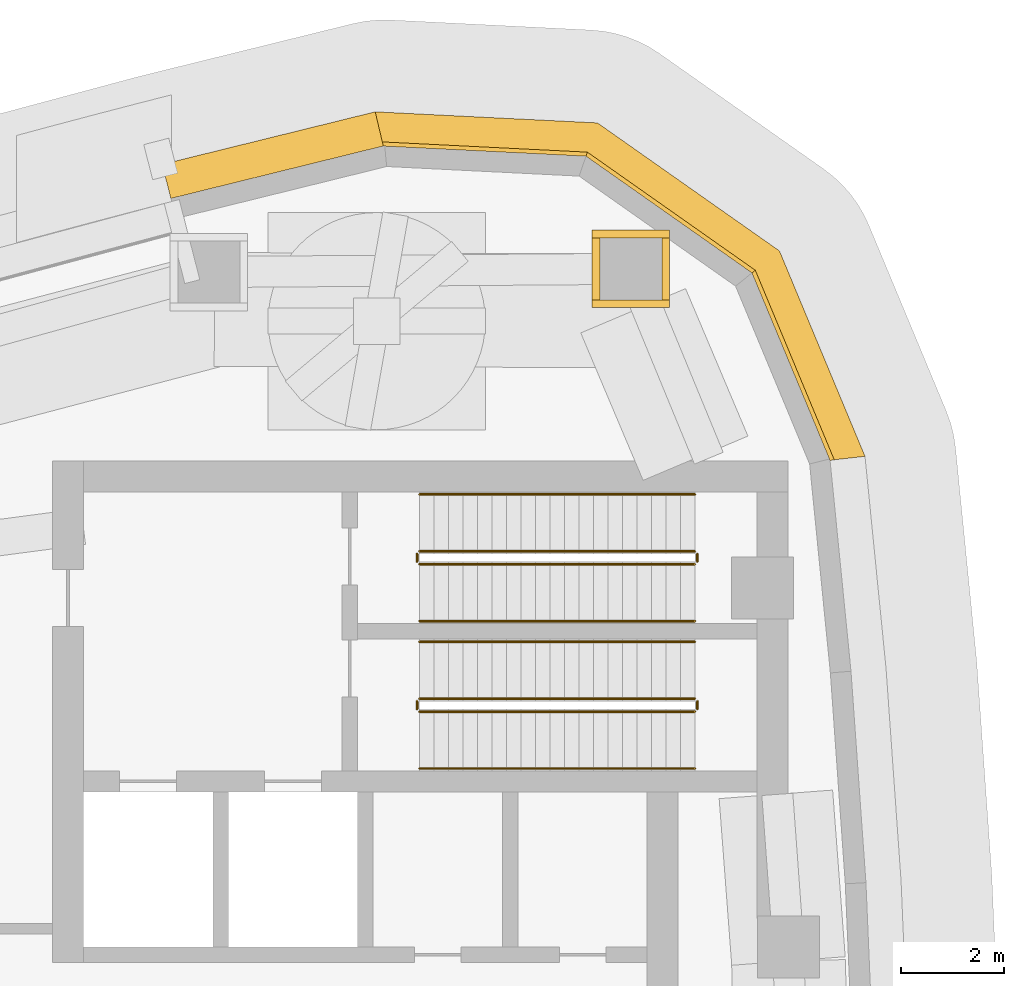
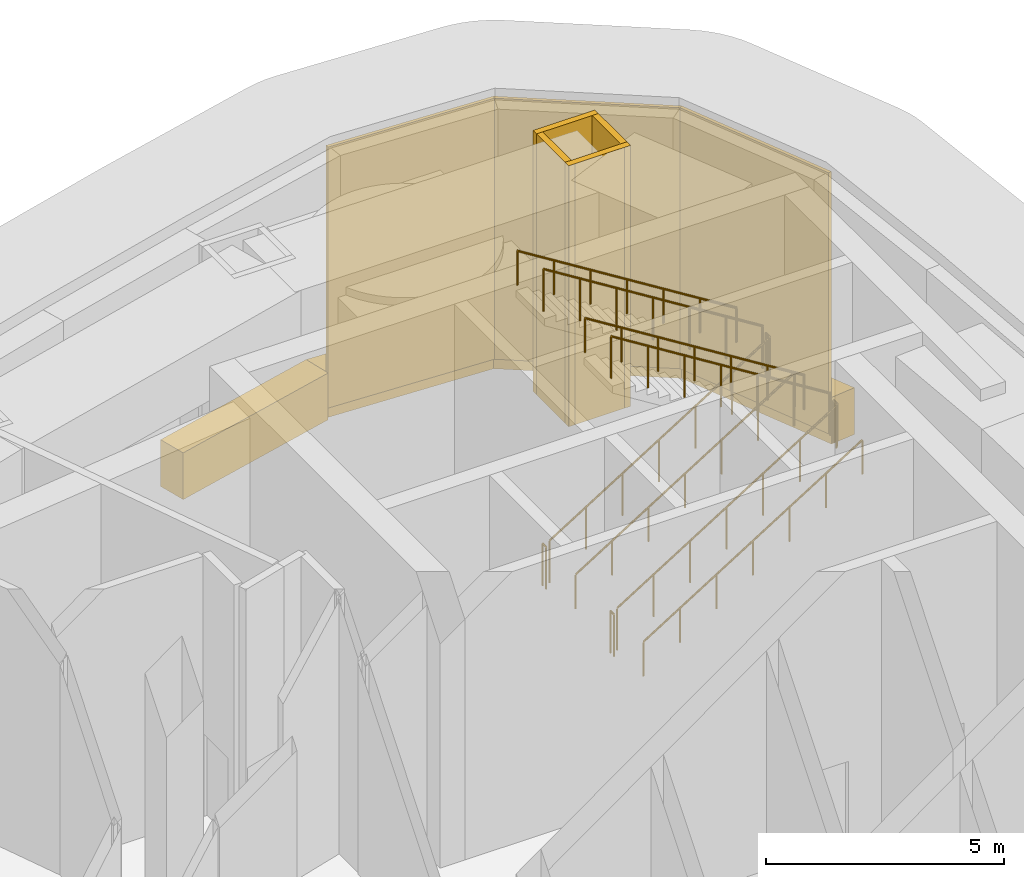
# One storey, part 11 of 12: 12 railings, 9 coverings.
"""IFC4 building model written with IfcOpenShell, lengths in metres."""

from ifc_helpers import new_model, si_unit, direction, frame, frame_2d, origin, origin_2d, place, context, subcontext, project, spatial, polyline, rectangle, circle, outline, extrude, material, layer, layer_set, type_object, element, save


model = new_model("IFC4")

# Units and contexts
model_context = context("Model", 3, precision=1e-05, world=origin(), true_north=direction((0.0, 1.0)))
body_context = subcontext(model_context, "Body", "Model", "MODEL_VIEW")
ifc_project = project(units=[si_unit("LENGTHUNIT", "METRE"), si_unit("AREAUNIT", "SQUARE_METRE"), si_unit("VOLUMEUNIT", "CUBIC_METRE"), si_unit("PLANEANGLEUNIT", "RADIAN"), si_unit("MASSUNIT", "GRAM", prefix="KILO")], contexts=[model_context])

# Site, building, storey
site_placement = place(None, origin())
site = spatial("IfcSite", under=ifc_project, at=site_placement, CompositionType="ELEMENT")
building_placement = place(site_placement, origin())
building = spatial("IfcBuilding", under=site, at=building_placement, Name="Ostrand Prow Hotel Tower", CompositionType="ELEMENT")
storey_placement = place(building_placement, frame((0.0, 0.0, 256.300048828125)))
storey = spatial("IfcBuildingStorey", under=building, at=storey_placement, Name="L65", CompositionType="ELEMENT", Elevation=256.300048828125)

# Coverings
ifc_material_1 = material(Name="Bronze anodised aluminium cladding", Category="aluminium")
ifc_layer_1 = layer(ifc_material_1, 0.60009765625)
ifc_layer_set_1 = layer_set([ifc_layer_1], Name="Bronze anodised aluminium cladding")
covering_type_1 = type_object("IfcCoveringType", Name="Bronze spandrel band 1200x600", PredefinedType="CLADDING", material=ifc_layer_set_1)
covering_1_placement = place(storey_placement, frame((0.0, 0.0, -0.300048828125)))
element("IfcCovering", 1, at=covering_1_placement, inside=storey, type_object=covering_type_1, Name="Spandrel band back 4", PredefinedType="CLADDING", context=body_context, shape_type="SweptSolid", body=[
    extrude(outline(polyline([(65.81201171875, 16.4365234375), (64.15771484375, 20.408447265625), (60.638671875, 22.8837890625), (56.34130859375, 23.09814453125), (56.47900390625, 22.51416015625), (60.443359375, 22.316650390625), (63.689697265625, 20.032958984375), (65.2158203125, 16.368896484375), (65.81201171875, 16.4365234375)])), origin(), (0.0, 0.0, 1.0), 1.199951171875),
])
covering_2_placement = place(storey_placement, frame((0.0, 0.0, -0.300048828125)))
element("IfcCovering", 2, at=covering_2_placement, inside=storey, type_object=covering_type_1, Name="Spandrel band back 5", PredefinedType="CLADDING", context=body_context, shape_type="SweptSolid", body=[
    extrude(outline(polyline([(56.34130859375, 23.09814453125), (52.22119140625, 22.081787109375), (52.390869140625, 21.42333984375), (56.49755859375, 22.436279296875), (56.34130859375, 23.09814453125)])), origin(), (0.0, 0.0, 1.0), 1.199951171875),
])
ifc_material_2 = material(Name="Limestone cladding", Category="masonry")
ifc_layer_2 = layer(ifc_material_2, 0.60009765625)
ifc_layer_set_2 = layer_set([ifc_layer_2], Name="Limestone cladding")
covering_type_2 = type_object("IfcCoveringType", Name="Slot reveal limestone cladding 600 mm", PredefinedType="CLADDING", material=ifc_layer_set_2)
for number, where, z_axis, x_axis, name in (
    (3, (60.533935546875, 19.38720703125, 0.0), (0.0, 0.0, 1.0), (1.0, 0.0, 0.0), "Slot column sleeve MC-NE 1"),
    (4, (61.958984375, 19.31201171875, 0.0), (0.0, 0.0, 1.0), (0.0, 1.0, 0.0), "Slot column sleeve MC-NE 2"),
    (5, (62.033935546875, 20.737060546875, 0.0), (0.0, 0.0, 1.0), (-1.0, 0.0, 0.0), "Slot column sleeve MC-NE 3"),
    (6, (60.60888671875, 20.81201171875, 0.0), (0.0, 0.0, 1.0), (0.0, -1.0, 0.0), "Slot column sleeve MC-NE 4"),
):
    element("IfcCovering", number, at=place(storey_placement, frame(where, z_axis=z_axis, x_axis=x_axis)), inside=storey, type_object=covering_type_2, Name=name, PredefinedType="CLADDING", context=body_context, shape_type="SweptSolid", body=[
        extrude(rectangle(XDim=1.5, YDim=0.14990234375, at=frame_2d((0.75, 0.0))), origin(), (0.0, 0.0, 1.0), 6.699951171875),
    ])

# Railings
ifc_material_3 = material(Name="Painted steel", Category="steel")
railing_type_1 = type_object("IfcRailingType", Name="Stair guard 1100", PredefinedType="GUARDRAIL", material=ifc_material_3)
railing_1_placement = place(storey_placement, frame((57.199951171875, 11.5, 0.175048828125)))
element("IfcRailing", 7, at=railing_1_placement, inside=storey, type_object=railing_type_1, Name="L65 ST1C stair guard 1", PredefinedType="GUARDRAIL", context=body_context, shape_type="SweptSolid", body=[
    extrude(circle(Radius=0.02392578125, at=origin_2d()), frame((0.0, 0.0, 1.076171875), z_axis=(0.848004862711, 0.0, 0.52998844593), x_axis=(0.0, 1.0, 0.0)), (0.0, 0.0, 1.0), 6.273681640625),
    extrude(circle(Radius=0.02099609375, at=origin_2d()), origin(), (0.0, 0.0, 1.0), 1.052001953125),
    extrude(circle(Radius=0.02099609375, at=origin_2d()), frame((0.88671875, 0.0, 0.55419921875)), (0.0, 0.0, 1.0), 1.052001953125),
    extrude(circle(Radius=0.02099609375, at=origin_2d()), frame((1.7734375, 0.0, 1.1083984375)), (0.0, 0.0, 1.0), 1.052001953125),
    extrude(circle(Radius=0.02099609375, at=origin_2d()), frame((2.66015625, 0.0, 1.66259765625)), (0.0, 0.0, 1.0), 1.052001953125),
    extrude(circle(Radius=0.02099609375, at=origin_2d()), frame((3.546630859375, 0.0, 2.216552734375)), (0.0, 0.0, 1.0), 1.052001953125),
    extrude(circle(Radius=0.02099609375, at=origin_2d()), frame((4.433349609375, 0.0, 2.770751953125)), (0.0, 0.0, 1.0), 1.052001953125),
    extrude(circle(Radius=0.02099609375, at=origin_2d()), frame((5.320068359375, 0.0, 3.324951171875)), (0.0, 0.0, 1.0), 1.052001953125),
])
railing_2_placement = place(storey_placement, frame((62.570068359375, 11.550048828125, 3.5)))
element("IfcRailing", 8, at=railing_2_placement, inside=storey, type_object=railing_type_1, Name="L65 ST1C stair guard 2", PredefinedType="GUARDRAIL", context=body_context, shape_type="SweptSolid", body=[
    extrude(circle(Radius=0.02392578125, at=origin_2d()), frame((0.0, 0.0, 1.076171875), z_axis=(0.0, 1.0, 0.0), x_axis=(-1.0, 0.0, 0.0)), (0.0, 0.0, 1.0), 0.14990234375),
    extrude(circle(Radius=0.02099609375, at=origin_2d()), origin(), (0.0, 0.0, 1.0), 1.052001953125),
    extrude(circle(Radius=0.02099609375, at=origin_2d()), frame((0.0, 0.14990234375, 0.0)), (0.0, 0.0, 1.0), 1.052001953125),
])
railing_3_placement = place(storey_placement, frame((62.52001953125, 11.75, 3.675048828125)))
element("IfcRailing", 9, at=railing_3_placement, inside=storey, type_object=railing_type_1, Name="L65 ST1C stair guard 3", PredefinedType="GUARDRAIL", context=body_context, shape_type="SweptSolid", body=[
    extrude(circle(Radius=0.02392578125, at=origin_2d()), frame((0.0, 0.0, 1.076171875), z_axis=(-0.848004862711, 0.0, 0.52998844593), x_axis=(0.0, -1.0, 0.0)), (0.0, 0.0, 1.0), 6.273681640625),
    extrude(circle(Radius=0.02099609375, at=origin_2d()), origin(), (0.0, 0.0, 1.0), 1.052001953125),
    extrude(circle(Radius=0.02099609375, at=origin_2d()), frame((-0.88671875, 0.0, 0.55419921875)), (0.0, 0.0, 1.0), 1.052001953125),
    extrude(circle(Radius=0.02099609375, at=origin_2d()), frame((-1.7734375, 0.0, 1.1083984375)), (0.0, 0.0, 1.0), 1.052001953125),
    extrude(circle(Radius=0.02099609375, at=origin_2d()), frame((-2.66015625, 0.0, 1.66259765625)), (0.0, 0.0, 1.0), 1.052001953125),
    extrude(circle(Radius=0.02099609375, at=origin_2d()), frame((-3.546630859375, 0.0, 2.216552734375)), (0.0, 0.0, 1.0), 1.052001953125),
    extrude(circle(Radius=0.02099609375, at=origin_2d()), frame((-4.433349609375, 0.0, 2.770751953125)), (0.0, 0.0, 1.0), 1.052001953125),
    extrude(circle(Radius=0.02099609375, at=origin_2d()), frame((-5.320068359375, 0.0, 3.324951171875)), (0.0, 0.0, 1.0), 1.052001953125),
])
railing_4_placement = place(storey_placement, frame((57.14990234375, 11.550048828125, 0.0)))
element("IfcRailing", 10, at=railing_4_placement, inside=storey, type_object=railing_type_1, Name="L65 ST1C stair guard 4", PredefinedType="GUARDRAIL", context=body_context, shape_type="SweptSolid", body=[
    extrude(circle(Radius=0.02392578125, at=origin_2d()), frame((0.0, 0.0, 1.076171875), z_axis=(0.0, 1.0, 0.0), x_axis=(-1.0, 0.0, 0.0)), (0.0, 0.0, 1.0), 0.14990234375),
    extrude(circle(Radius=0.02099609375, at=origin_2d()), origin(), (0.0, 0.0, 1.0), 1.052001953125),
    extrude(circle(Radius=0.02099609375, at=origin_2d()), frame((0.0, 0.14990234375, 0.0)), (0.0, 0.0, 1.0), 1.052001953125),
])
railing_5_placement = place(storey_placement, frame((57.199951171875, 14.35009765625, 0.175048828125)))
element("IfcRailing", 11, at=railing_5_placement, inside=storey, type_object=railing_type_1, Name="L65 ST3C stair guard 1", PredefinedType="GUARDRAIL", context=body_context, shape_type="SweptSolid", body=[
    extrude(circle(Radius=0.02392578125, at=origin_2d()), frame((0.0, 0.0, 1.076171875), z_axis=(0.848004862711, 0.0, 0.52998844593), x_axis=(0.0, 1.0, 0.0)), (0.0, 0.0, 1.0), 6.273681640625),
    extrude(circle(Radius=0.02099609375, at=origin_2d()), origin(), (0.0, 0.0, 1.0), 1.052001953125),
    extrude(circle(Radius=0.02099609375, at=origin_2d()), frame((0.88671875, 0.0, 0.55419921875)), (0.0, 0.0, 1.0), 1.052001953125),
    extrude(circle(Radius=0.02099609375, at=origin_2d()), frame((1.7734375, 0.0, 1.1083984375)), (0.0, 0.0, 1.0), 1.052001953125),
    extrude(circle(Radius=0.02099609375, at=origin_2d()), frame((2.66015625, 0.0, 1.66259765625)), (0.0, 0.0, 1.0), 1.052001953125),
    extrude(circle(Radius=0.02099609375, at=origin_2d()), frame((3.546630859375, 0.0, 2.216552734375)), (0.0, 0.0, 1.0), 1.052001953125),
    extrude(circle(Radius=0.02099609375, at=origin_2d()), frame((4.433349609375, 0.0, 2.770751953125)), (0.0, 0.0, 1.0), 1.052001953125),
    extrude(circle(Radius=0.02099609375, at=origin_2d()), frame((5.320068359375, 0.0, 3.324951171875)), (0.0, 0.0, 1.0), 1.052001953125),
])
railing_6_placement = place(storey_placement, frame((62.570068359375, 14.39990234375, 3.5)))
element("IfcRailing", 12, at=railing_6_placement, inside=storey, type_object=railing_type_1, Name="L65 ST3C stair guard 2", PredefinedType="GUARDRAIL", context=body_context, shape_type="SweptSolid", body=[
    extrude(circle(Radius=0.02392578125, at=origin_2d()), frame((0.0, 0.0, 1.076171875), z_axis=(0.0, 1.0, 0.0), x_axis=(-1.0, 0.0, 0.0)), (0.0, 0.0, 1.0), 0.150146484375),
    extrude(circle(Radius=0.02099609375, at=origin_2d()), origin(), (0.0, 0.0, 1.0), 1.052001953125),
    extrude(circle(Radius=0.02099609375, at=origin_2d()), frame((0.0, 0.150146484375, 0.0)), (0.0, 0.0, 1.0), 1.052001953125),
])
railing_7_placement = place(storey_placement, frame((62.52001953125, 14.60009765625, 3.675048828125)))
element("IfcRailing", 13, at=railing_7_placement, inside=storey, type_object=railing_type_1, Name="L65 ST3C stair guard 3", PredefinedType="GUARDRAIL", context=body_context, shape_type="SweptSolid", body=[
    extrude(circle(Radius=0.02392578125, at=origin_2d()), frame((0.0, 0.0, 1.076171875), z_axis=(-0.848004862711, 0.0, 0.52998844593), x_axis=(0.0, -1.0, 0.0)), (0.0, 0.0, 1.0), 6.273681640625),
    extrude(circle(Radius=0.02099609375, at=origin_2d()), origin(), (0.0, 0.0, 1.0), 1.052001953125),
    extrude(circle(Radius=0.02099609375, at=origin_2d()), frame((-0.88671875, 0.0, 0.55419921875)), (0.0, 0.0, 1.0), 1.052001953125),
    extrude(circle(Radius=0.02099609375, at=origin_2d()), frame((-1.7734375, 0.0, 1.1083984375)), (0.0, 0.0, 1.0), 1.052001953125),
    extrude(circle(Radius=0.02099609375, at=origin_2d()), frame((-2.66015625, 0.0, 1.66259765625)), (0.0, 0.0, 1.0), 1.052001953125),
    extrude(circle(Radius=0.02099609375, at=origin_2d()), frame((-3.546630859375, 0.0, 2.216552734375)), (0.0, 0.0, 1.0), 1.052001953125),
    extrude(circle(Radius=0.02099609375, at=origin_2d()), frame((-4.433349609375, 0.0, 2.770751953125)), (0.0, 0.0, 1.0), 1.052001953125),
    extrude(circle(Radius=0.02099609375, at=origin_2d()), frame((-5.320068359375, 0.0, 3.324951171875)), (0.0, 0.0, 1.0), 1.052001953125),
])
railing_8_placement = place(storey_placement, frame((57.14990234375, 14.39990234375, 0.0)))
element("IfcRailing", 14, at=railing_8_placement, inside=storey, type_object=railing_type_1, Name="L65 ST3C stair guard 4", PredefinedType="GUARDRAIL", context=body_context, shape_type="SweptSolid", body=[
    extrude(circle(Radius=0.02392578125, at=origin_2d()), frame((0.0, 0.0, 1.076171875), z_axis=(0.0, 1.0, 0.0), x_axis=(-1.0, 0.0, 0.0)), (0.0, 0.0, 1.0), 0.150146484375),
    extrude(circle(Radius=0.02099609375, at=origin_2d()), origin(), (0.0, 0.0, 1.0), 1.052001953125),
    extrude(circle(Radius=0.02099609375, at=origin_2d()), frame((0.0, 0.150146484375, 0.0)), (0.0, 0.0, 1.0), 1.052001953125),
])
ifc_material_4 = material(Name="Stainless steel", Category="steel")
railing_type_2 = type_object("IfcRailingType", Name="Stair handrail 900", PredefinedType="HANDRAIL", material=ifc_material_4)
railing_9_placement = place(storey_placement, frame((57.199951171875, 10.39990234375, 0.175048828125)))
element("IfcRailing", 15, at=railing_9_placement, inside=storey, type_object=railing_type_2, Name="L65 ST1C stair handrail 1", PredefinedType="HANDRAIL", context=body_context, shape_type="SweptSolid", body=[
    extrude(circle(Radius=0.02392578125, at=origin_2d()), frame((0.0, 0.0, 0.8759765625), z_axis=(0.848004862711, 0.0, 0.52998844593), x_axis=(0.0, 1.0, 0.0)), (0.0, 0.0, 1.0), 6.273681640625),
    extrude(circle(Radius=0.02099609375, at=origin_2d()), origin(), (0.0, 0.0, 1.0), 0.851806640625),
    extrude(circle(Radius=0.02099609375, at=origin_2d()), frame((0.88671875, 0.0, 0.55419921875)), (0.0, 0.0, 1.0), 0.851806640625),
    extrude(circle(Radius=0.02099609375, at=origin_2d()), frame((1.7734375, 0.0, 1.1083984375)), (0.0, 0.0, 1.0), 0.851806640625),
    extrude(circle(Radius=0.02099609375, at=origin_2d()), frame((2.66015625, 0.0, 1.66259765625)), (0.0, 0.0, 1.0), 0.851806640625),
    extrude(circle(Radius=0.02099609375, at=origin_2d()), frame((3.546630859375, 0.0, 2.216552734375)), (0.0, 0.0, 1.0), 0.851806640625),
    extrude(circle(Radius=0.02099609375, at=origin_2d()), frame((4.433349609375, 0.0, 2.770751953125)), (0.0, 0.0, 1.0), 0.851806640625),
    extrude(circle(Radius=0.02099609375, at=origin_2d()), frame((5.320068359375, 0.0, 3.324951171875)), (0.0, 0.0, 1.0), 0.851806640625),
])
railing_10_placement = place(storey_placement, frame((62.52001953125, 12.85009765625, 3.675048828125)))
element("IfcRailing", 16, at=railing_10_placement, inside=storey, type_object=railing_type_2, Name="L65 ST1C stair handrail 2", PredefinedType="HANDRAIL", context=body_context, shape_type="SweptSolid", body=[
    extrude(circle(Radius=0.02392578125, at=origin_2d()), frame((0.0, 0.0, 0.8759765625), z_axis=(-0.848004862711, 0.0, 0.52998844593), x_axis=(0.0, -1.0, 0.0)), (0.0, 0.0, 1.0), 6.273681640625),
    extrude(circle(Radius=0.02099609375, at=origin_2d()), origin(), (0.0, 0.0, 1.0), 0.851806640625),
    extrude(circle(Radius=0.02099609375, at=origin_2d()), frame((-0.88671875, 0.0, 0.55419921875)), (0.0, 0.0, 1.0), 0.851806640625),
    extrude(circle(Radius=0.02099609375, at=origin_2d()), frame((-1.7734375, 0.0, 1.1083984375)), (0.0, 0.0, 1.0), 0.851806640625),
    extrude(circle(Radius=0.02099609375, at=origin_2d()), frame((-2.66015625, 0.0, 1.66259765625)), (0.0, 0.0, 1.0), 0.851806640625),
    extrude(circle(Radius=0.02099609375, at=origin_2d()), frame((-3.546630859375, 0.0, 2.216552734375)), (0.0, 0.0, 1.0), 0.851806640625),
    extrude(circle(Radius=0.02099609375, at=origin_2d()), frame((-4.433349609375, 0.0, 2.770751953125)), (0.0, 0.0, 1.0), 0.851806640625),
    extrude(circle(Radius=0.02099609375, at=origin_2d()), frame((-5.320068359375, 0.0, 3.324951171875)), (0.0, 0.0, 1.0), 0.851806640625),
])
railing_11_placement = place(storey_placement, frame((57.199951171875, 13.25, 0.175048828125)))
element("IfcRailing", 17, at=railing_11_placement, inside=storey, type_object=railing_type_2, Name="L65 ST3C stair handrail 1", PredefinedType="HANDRAIL", context=body_context, shape_type="SweptSolid", body=[
    extrude(circle(Radius=0.02392578125, at=origin_2d()), frame((0.0, 0.0, 0.8759765625), z_axis=(0.848004862711, 0.0, 0.52998844593), x_axis=(0.0, 1.0, 0.0)), (0.0, 0.0, 1.0), 6.273681640625),
    extrude(circle(Radius=0.02099609375, at=origin_2d()), origin(), (0.0, 0.0, 1.0), 0.851806640625),
    extrude(circle(Radius=0.02099609375, at=origin_2d()), frame((0.88671875, 0.0, 0.55419921875)), (0.0, 0.0, 1.0), 0.851806640625),
    extrude(circle(Radius=0.02099609375, at=origin_2d()), frame((1.7734375, 0.0, 1.1083984375)), (0.0, 0.0, 1.0), 0.851806640625),
    extrude(circle(Radius=0.02099609375, at=origin_2d()), frame((2.66015625, 0.0, 1.66259765625)), (0.0, 0.0, 1.0), 0.851806640625),
    extrude(circle(Radius=0.02099609375, at=origin_2d()), frame((3.546630859375, 0.0, 2.216552734375)), (0.0, 0.0, 1.0), 0.851806640625),
    extrude(circle(Radius=0.02099609375, at=origin_2d()), frame((4.433349609375, 0.0, 2.770751953125)), (0.0, 0.0, 1.0), 0.851806640625),
    extrude(circle(Radius=0.02099609375, at=origin_2d()), frame((5.320068359375, 0.0, 3.324951171875)), (0.0, 0.0, 1.0), 0.851806640625),
])
railing_12_placement = place(storey_placement, frame((62.52001953125, 15.699951171875, 3.675048828125)))
element("IfcRailing", 18, at=railing_12_placement, inside=storey, type_object=railing_type_2, Name="L65 ST3C stair handrail 2", PredefinedType="HANDRAIL", context=body_context, shape_type="SweptSolid", body=[
    extrude(circle(Radius=0.02392578125, at=origin_2d()), frame((0.0, 0.0, 0.8759765625), z_axis=(-0.848004862711, 0.0, 0.52998844593), x_axis=(0.0, -1.0, 0.0)), (0.0, 0.0, 1.0), 6.273681640625),
    extrude(circle(Radius=0.02099609375, at=origin_2d()), origin(), (0.0, 0.0, 1.0), 0.851806640625),
    extrude(circle(Radius=0.02099609375, at=origin_2d()), frame((-0.88671875, 0.0, 0.55419921875)), (0.0, 0.0, 1.0), 0.851806640625),
    extrude(circle(Radius=0.02099609375, at=origin_2d()), frame((-1.7734375, 0.0, 1.1083984375)), (0.0, 0.0, 1.0), 0.851806640625),
    extrude(circle(Radius=0.02099609375, at=origin_2d()), frame((-2.66015625, 0.0, 1.66259765625)), (0.0, 0.0, 1.0), 0.851806640625),
    extrude(circle(Radius=0.02099609375, at=origin_2d()), frame((-3.546630859375, 0.0, 2.216552734375)), (0.0, 0.0, 1.0), 0.851806640625),
    extrude(circle(Radius=0.02099609375, at=origin_2d()), frame((-4.433349609375, 0.0, 2.770751953125)), (0.0, 0.0, 1.0), 0.851806640625),
    extrude(circle(Radius=0.02099609375, at=origin_2d()), frame((-5.320068359375, 0.0, 3.324951171875)), (0.0, 0.0, 1.0), 0.851806640625),
])

# Coverings
ifc_material_5 = material(Name="Limestone cladding", Category="masonry")
ifc_layer_3 = layer(ifc_material_5, 0.080078125)
ifc_layer_set_3 = layer_set([ifc_layer_3], Name="Limestone cladding")
covering_type_3 = type_object("IfcCoveringType", Name="Warm limestone cladding 80 mm", PredefinedType="CLADDING", material=ifc_layer_set_3)
covering_3_placement = place(storey_placement, frame((65.176025390625, 16.364501953125, 0.0), z_axis=(0.0, 0.0, 1.0), x_axis=(-0.384439689844, 0.92315010961, 0.0)))
element("IfcCovering", 19, at=covering_3_placement, inside=storey, type_object=covering_type_3, Name="Limestone cladding back 13", PredefinedType="CLADDING", context=body_context, shape_type="SweptSolid", body=[
    extrude(outline(polyline([(-0.006103515625, -0.0400390625), (3.95849609375, -0.0400390625), (3.93505859375, 0.0400390625), (0.006103515625, 0.0400390625), (-0.006103515625, -0.0400390625)])), origin(), (0.0, 0.0, 1.0), 6.699951171875),
])
covering_4_placement = place(storey_placement, frame((63.65869140625, 20.008056640625, 0.0), z_axis=(0.0, 0.0, 1.0), x_axis=(-0.817925007009, 0.575324849897, 0.0)))
element("IfcCovering", 20, at=covering_4_placement, inside=storey, type_object=covering_type_3, Name="Limestone cladding back 14", PredefinedType="CLADDING", context=body_context, shape_type="SweptSolid", body=[
    extrude(outline(polyline([(-0.01171875, -0.0400390625), (3.958740234375, -0.0400390625), (3.935302734375, 0.0400390625), (0.01171875, 0.0400390625), (-0.01171875, -0.0400390625)])), origin(), (0.0, 0.0, 1.0), 6.699951171875),
])
covering_5_placement = place(storey_placement, frame((60.430419921875, 22.27880859375, 0.0), z_axis=(0.0, 0.0, 1.0), x_axis=(-0.998759578096, 0.049792621562, 0.0)))
element("IfcCovering", 21, at=covering_5_placement, inside=storey, type_object=covering_type_3, Name="Limestone cladding back 15", PredefinedType="CLADDING", context=body_context, shape_type="SweptSolid", body=[
    extrude(outline(polyline([(-0.01171875, -0.0400390625), (3.952880859375, -0.0400390625), (3.941162109375, 0.0400390625), (0.01171875, 0.0400390625), (-0.01171875, -0.0400390625)])), origin(), (0.0, 0.0, 1.0), 6.699951171875),
])

save(model, "model.ifc")
